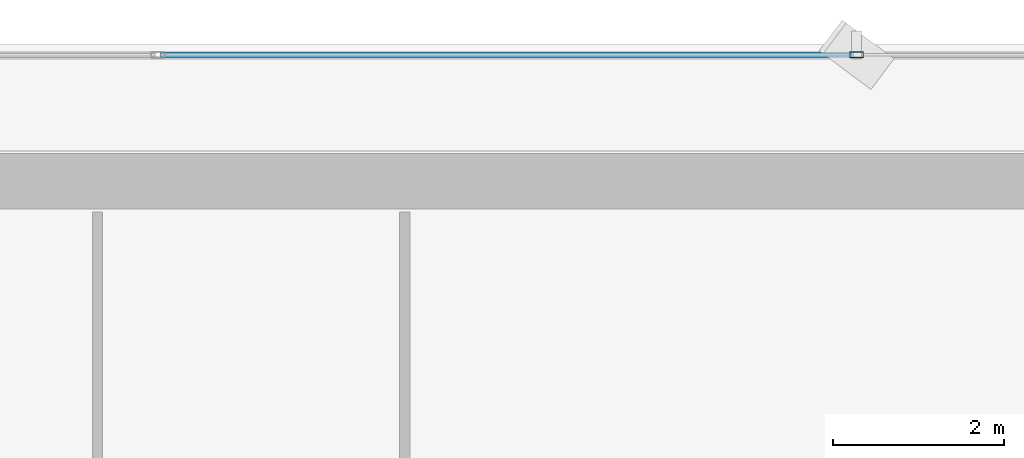
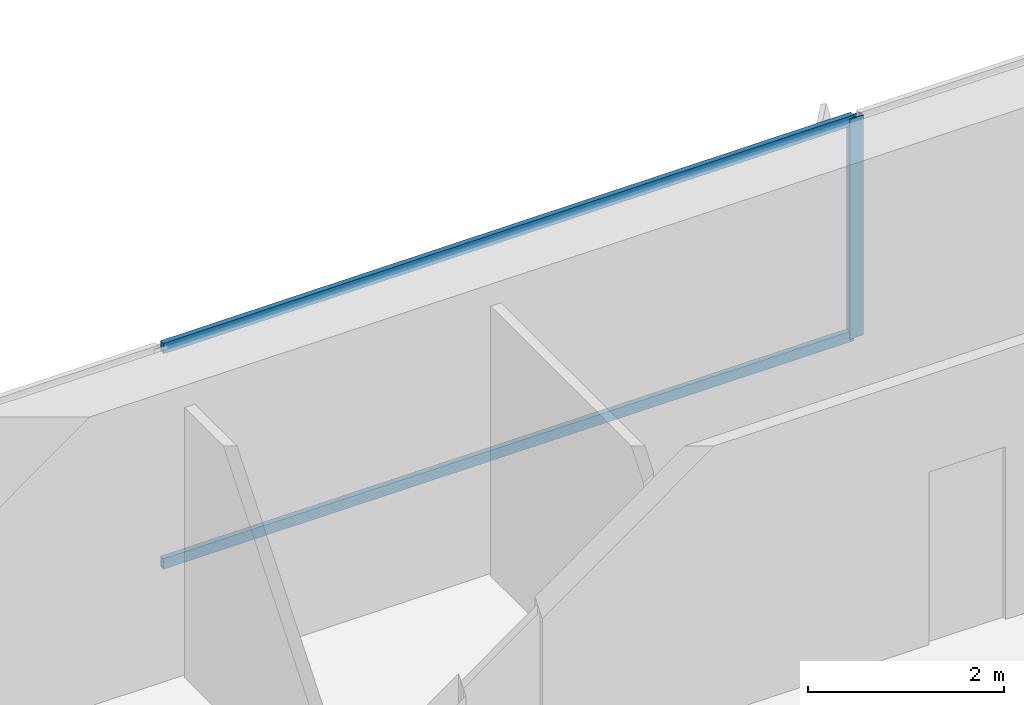
# One storey, part 22 of 37: 3 members, 1 element without a shape of its own.
"""IFC4 building model written with IfcOpenShell, lengths in metres."""

from ifc_helpers import new_model, si_unit, direction, frame, origin, origin_2d, place, context, subcontext, project, spatial, hollow_rectangle, extrude, source, transform, mapped, material, layer, layer_set, material_profile, profile_set, type_object, element, aggregate, save


model = new_model("IFC4")

# Units and contexts
model_context = context("Model", 3, precision=1e-05, world=origin(), true_north=direction((0.0, 1.0)))
body_context = subcontext(model_context, "Body", "Model", "MODEL_VIEW")
ifc_project = project(units=[si_unit("LENGTHUNIT", "METRE"), si_unit("AREAUNIT", "SQUARE_METRE"), si_unit("VOLUMEUNIT", "CUBIC_METRE"), si_unit("PLANEANGLEUNIT", "RADIAN"), si_unit("MASSUNIT", "GRAM", prefix="KILO")], contexts=[model_context])

# Site, building, storey
site_placement = place(None, origin())
site = spatial("IfcSite", under=ifc_project, at=site_placement, CompositionType="ELEMENT")
building_placement = place(site_placement, origin())
building = spatial("IfcBuilding", under=site, at=building_placement, Name="Sumidabori Civic Tower", CompositionType="ELEMENT")
storey_placement = place(building_placement, frame((0.0, 0.0, 110.0)))
storey = spatial("IfcBuildingStorey", under=building, at=storey_placement, Name="L28", CompositionType="ELEMENT", Elevation=110.0)

# Curtain wall, members
ifc_material = material(Name="Anodised Bronze Aluminium AW-6063-T6", Category="aluminium")
ifc_layer = layer(ifc_material, 0.179931640625, Name="Anodised Bronze Aluminium AW-6063-T6")
ifc_layer_set = layer_set([ifc_layer], Name="Anodised Bronze Aluminium AW-6063-T6")
curtain_wall_type = type_object("IfcCurtainWallType", Name="CW-SYS-3", PredefinedType="NOTDEFINED", material=ifc_layer_set)
curtain_wall_placement = place(storey_placement, origin())
curtain_wall = element("IfcCurtainWall", 1, at=curtain_wall_placement, inside=storey, type_object=curtain_wall_type, Name="Curtain Wall CW:L28:R07", PredefinedType="NOTDEFINED")
ifc_material_profile_1 = material_profile(ifc_material, hollow_rectangle(XDim=0.06494140625, YDim=0.159912109375, WallThickness=0.0048828125, at=origin_2d()), Name="ALU MULLION 160x65")
ifc_profile_set_1 = profile_set([ifc_material_profile_1], Name="Anodised Bronze Aluminium AW-6063-T6")
member_type_1 = type_object("IfcMemberType", Name="CW-MUL-160", PredefinedType="MULLION", material=ifc_profile_set_1)
shared_shape_1 = source(origin(), body_context, "Body", "SweptSolid", [
    extrude(hollow_rectangle(XDim=0.06494140625, YDim=0.159912109375, WallThickness=0.0048828125, at=origin_2d()), origin(), (0.0, 0.0, 1.0), 2.739990234375),
])
member_1_placement = place(storey_placement, frame((4.093994140625, 25.280029296875, 0.0), z_axis=(0.0, 0.0, 1.0), x_axis=(0.0, -1.0, 0.0)))
member_1 = element("IfcMember", 2, at=member_1_placement, type_object=member_type_1, Name="CW-3 mullion 3", PredefinedType="MULLION", context=body_context, shape_type="MappedRepresentation", body=[
    mapped(shared_shape_1, transform((0.0, 0.0, 0.0), x_axis=(1.0, 0.0, 0.0), y_axis=(0.0, 1.0, 0.0), z_axis=(0.0, 0.0, 1.0), scale=1.0)),
])
ifc_material_profile_2 = material_profile(ifc_material, hollow_rectangle(XDim=0.06005859375, YDim=0.1298828125, WallThickness=0.0048828125, at=origin_2d()), Name="ALU TRANSOM 130x60")
ifc_profile_set_2 = profile_set([ifc_material_profile_2], Name="Anodised Bronze Aluminium AW-6063-T6")
member_type_2 = type_object("IfcMemberType", Name="CW-TRN-130", PredefinedType="USERDEFINED", material=ifc_profile_set_2)
shared_shape_2 = source(origin(), body_context, "Body", "SweptSolid", [
    extrude(hollow_rectangle(XDim=0.06005859375, YDim=0.1298828125, WallThickness=0.0048828125, at=origin_2d()), origin(), (0.0, 0.0, 1.0), 8.123046875),
])
member_2_placement = place(storey_placement, frame((4.0615234375, 25.280029296875, 0.030029296875), z_axis=(-1.0, 0.0, 0.0), x_axis=(0.0, -1.0, 0.0)))
member_2 = element("IfcMember", 3, at=member_2_placement, type_object=member_type_2, Name="CW-3 transom 3.1", ObjectType="TRANSOM", PredefinedType="USERDEFINED", context=body_context, shape_type="MappedRepresentation", body=[
    mapped(shared_shape_2, transform((0.0, 0.0, 0.0), x_axis=(1.0, 0.0, 0.0), y_axis=(0.0, 1.0, 0.0), z_axis=(0.0, 0.0, 1.0), scale=1.0)),
])
member_3_placement = place(storey_placement, frame((4.0615234375, 25.280029296875, 2.7099609375), z_axis=(-1.0, 0.0, 0.0), x_axis=(0.0, -1.0, 0.0)))
member_3 = element("IfcMember", 4, at=member_3_placement, type_object=member_type_2, Name="CW-3 transom 3.2", ObjectType="TRANSOM", PredefinedType="USERDEFINED", context=body_context, shape_type="MappedRepresentation", body=[
    mapped(shared_shape_2, transform((0.0, 0.0, 0.0), x_axis=(1.0, 0.0, 0.0), y_axis=(0.0, 1.0, 0.0), z_axis=(0.0, 0.0, 1.0), scale=1.0)),
])
aggregate(curtain_wall, [member_1, member_2, member_3])

save(model, "model.ifc")
